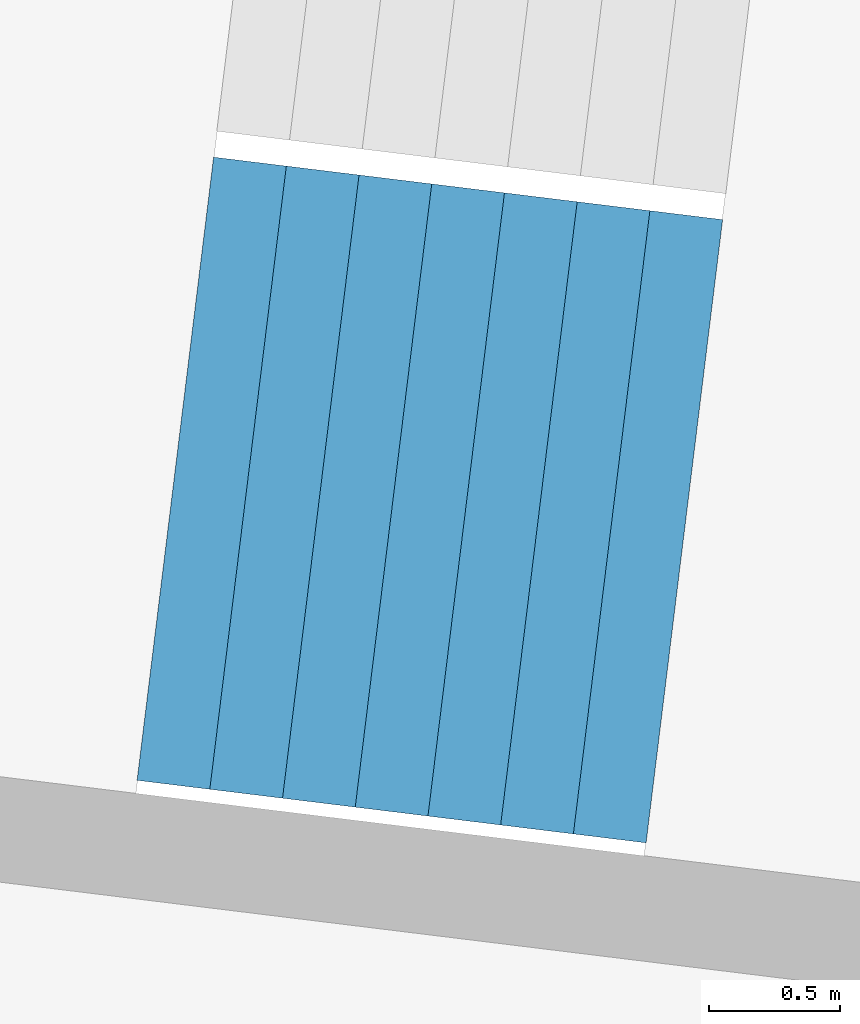
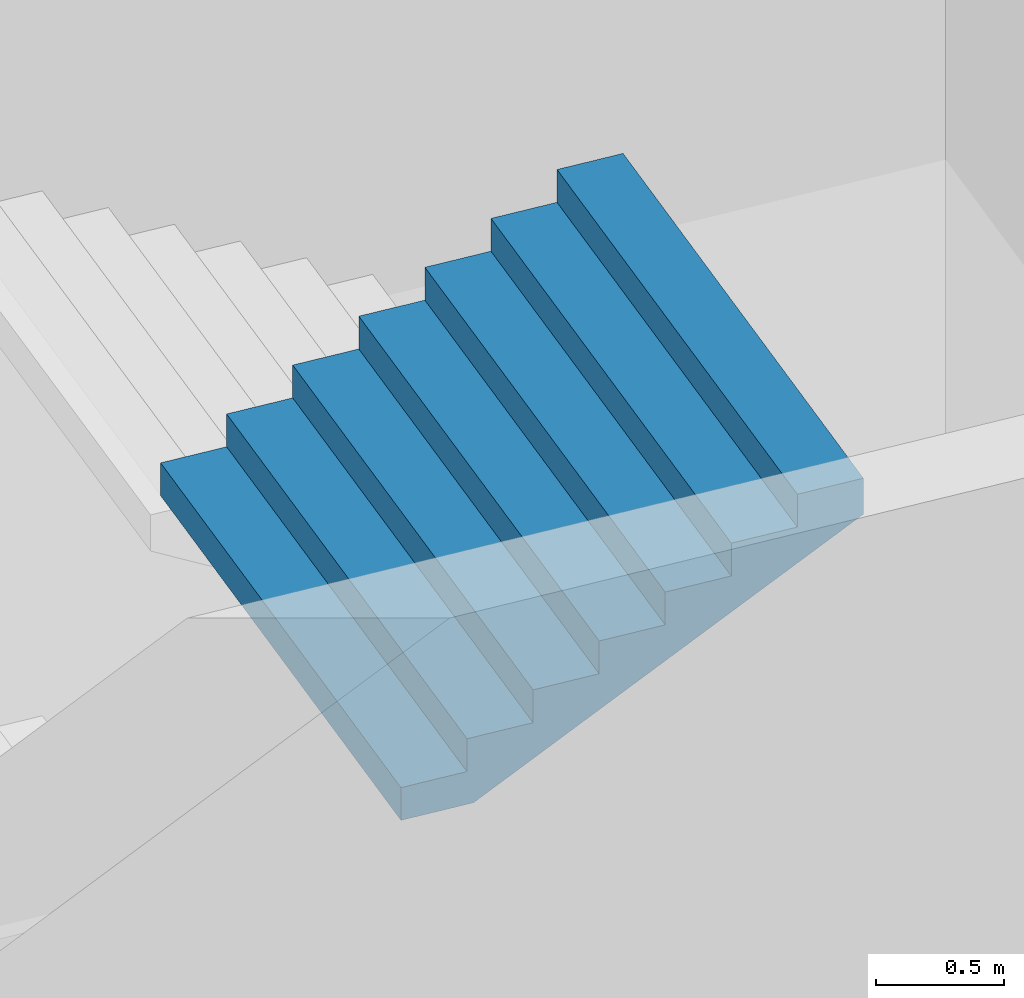
# One storey, part 28 of 73: 1 stair flight, 1 element without a shape of its own.
"""IFC4 building model written with IfcOpenShell, lengths in metres."""

from ifc_helpers import new_model, si_unit, direction, frame, origin, place, context, subcontext, project, spatial, triangles, material, type_object, element, aggregate, save


model = new_model("IFC4")

# Units and contexts
model_context = context("Model", 3, precision=1e-05, world=origin(), true_north=direction((0.0, 1.0)))
body_context = subcontext(model_context, "Body", "Model", "MODEL_VIEW")
ifc_project = project(units=[si_unit("LENGTHUNIT", "METRE"), si_unit("AREAUNIT", "SQUARE_METRE"), si_unit("VOLUMEUNIT", "CUBIC_METRE"), si_unit("PLANEANGLEUNIT", "RADIAN"), si_unit("MASSUNIT", "GRAM", prefix="KILO")], contexts=[model_context])

# Site, building, storey
site_placement = place(None, origin())
site = spatial("IfcSite", under=ifc_project, at=site_placement, CompositionType="ELEMENT")
building_placement = place(site_placement, origin())
building = spatial("IfcBuilding", under=site, at=building_placement, Name="Lantaw Convention Tower", CompositionType="ELEMENT")
storey_placement = place(building_placement, frame((0.0, 0.0, 22.0)))
storey = spatial("IfcBuildingStorey", under=building, at=storey_placement, Name="L03", CompositionType="ELEMENT", Elevation=22.0)

# Stair, stair flight
ifc_material = material(Name="Concrete C35/45", Category="concrete")
stair_type = type_object("IfcStairType", Name="Exit stair 2400 riser 156.25 in 4 flights", PredefinedType="HALF_TURN_STAIR", material=ifc_material)
stair_placement = place(storey_placement, origin())
stair = element("IfcStair", 1, at=stair_placement, inside=storey, type_object=stair_type, Name="Podium exit stair P9 L03", PredefinedType="HALF_TURN_STAIR")
stair_flight_type = type_object("IfcStairFlightType", Name="Stair flight 2400 riser 156.25", PredefinedType="STRAIGHT", material=ifc_material)
stair_flight_placement = place(storey_placement, frame((-40.2216796875, 3.67919921875, 3.75), z_axis=(0.0, 0.0, 1.0), x_axis=(0.992546151641, -0.121869343405, 0.0)))
stair_flight = element("IfcStairFlight", 2, at=stair_flight_placement, type_object=stair_flight_type, Name="P9 flight 4", NumberOfRisers=8, NumberOfTreads=7, PredefinedType="STRAIGHT", RiserHeight=0.15625, TreadLength=0.28, context=body_context, shape_type="Tessellation", body=[
    triangles([(0.0, 1.199951171875, 0.0), (0.0, 1.199951171875, 0.15625), (0.28, 1.199951171875, 0.0), (0.28, 1.199951171875, 0.15625), (0.28, 1.199951171875, 0.3125), (0.3076200632058044, 1.199951171875, 0.0), (0.3076200632058044, 1.199951171875, 0.3125), (0.56, 1.199951171875, 0.14083701830033238), (0.56, 1.199951171875, 0.3125), (0.56, 1.199951171875, 0.46875), (0.8400000000000001, 1.199951171875, 0.29708701830033235), (0.8400000000000001, 1.199951171875, 0.46875), (0.8400000000000001, 1.199951171875, 0.625), (1.12, 1.199951171875, 0.45333701830033235), (1.12, 1.199951171875, 0.625), (1.12, 1.199951171875, 0.78125), (1.4000000000000001, 1.199951171875, 0.6095870183003324), (1.4000000000000001, 1.199951171875, 0.78125), (1.4000000000000001, 1.199951171875, 0.9375), (1.6800000000000002, 1.199951171875, 0.7658370183003324), (1.6800000000000002, 1.199951171875, 0.9375), (1.6800000000000002, 1.199951171875, 1.09375), (1.9600000000000002, 1.199951171875, 0.9220870183003324), (1.9600000000000002, 1.199951171875, 1.09375), (0.0, -1.199951171875, 0.0), (0.0, -1.199951171875, 0.15625), (0.28, -1.199951171875, 0.0), (0.28, -1.199951171875, 0.15625), (0.28, -1.199951171875, 0.3125), (0.3076200632058044, -1.199951171875, 0.0), (0.3076200632058044, -1.199951171875, 0.3125), (0.56, -1.199951171875, 0.14083701830033238), (0.56, -1.199951171875, 0.3125), (0.56, -1.199951171875, 0.46875), (0.8400000000000001, -1.199951171875, 0.29708701830033235), (0.8400000000000001, -1.199951171875, 0.46875), (0.8400000000000001, -1.199951171875, 0.625), (1.12, -1.199951171875, 0.45333701830033235), (1.12, -1.199951171875, 0.625), (1.12, -1.199951171875, 0.78125), (1.4000000000000001, -1.199951171875, 0.6095870183003324), (1.4000000000000001, -1.199951171875, 0.78125), (1.4000000000000001, -1.199951171875, 0.9375), (1.6800000000000002, -1.199951171875, 0.7658370183003324), (1.6800000000000002, -1.199951171875, 0.9375), (1.6800000000000002, -1.199951171875, 1.09375), (1.9600000000000002, -1.199951171875, 0.9220870183003324), (1.9600000000000002, -1.199951171875, 1.09375), (0.0, 0.239990234375, 0.15625), (0.0, 0.239990234375, 0.0), (0.0, 0.1919921875, 0.15625), (0.0, 0.1919921875, 0.0), (0.0, 0.143994140625, 0.15625), (0.0, 0.143994140625, 0.0), (0.0, 0.09599609375, 0.15625), (0.0, 0.09599609375, 0.0), (0.0, 0.047998046875, 0.15625), (0.0, 0.047998046875, 0.0), (0.0, 0.0, 0.15625), (0.0, 0.0, 0.0), (0.0, -0.047998046875, 0.15625), (0.0, -0.047998046875, 0.0), (0.0, -0.09599609375, 0.15625), (0.0, -0.09599609375, 0.0), (0.0, -0.143994140625, 0.15625), (0.0, -0.143994140625, 0.0), (0.0, -0.1919921875, 0.15625), (0.0, -0.1919921875, 0.0), (0.0, -0.239990234375, 0.15625), (0.0, -0.239990234375, 0.0), (0.28, 0.239990234375, 0.3125), (0.28, 0.239990234375, 0.15625), (0.28, 0.1919921875, 0.3125), (0.28, 0.1919921875, 0.15625), (0.28, 0.143994140625, 0.3125), (0.28, 0.143994140625, 0.15625), (0.28, 0.09599609375, 0.3125), (0.28, 0.09599609375, 0.15625), (0.28, 0.047998046875, 0.3125), (0.28, 0.047998046875, 0.15625), (0.28, 0.0, 0.3125), (0.28, 0.0, 0.15625), (0.28, -0.047998046875, 0.3125), (0.28, -0.047998046875, 0.15625), (0.28, -0.09599609375, 0.3125), (0.28, -0.09599609375, 0.15625), (0.28, -0.143994140625, 0.3125), (0.28, -0.143994140625, 0.15625), (0.28, -0.1919921875, 0.3125), (0.28, -0.1919921875, 0.15625), (0.28, -0.239990234375, 0.3125), (0.28, -0.239990234375, 0.15625), (0.56, 0.239990234375, 0.46875), (0.56, 0.239990234375, 0.3125), (0.56, 0.1919921875, 0.46875), (0.56, 0.1919921875, 0.3125), (0.56, 0.143994140625, 0.46875), (0.56, 0.143994140625, 0.3125), (0.56, 0.09599609375, 0.46875), (0.56, 0.09599609375, 0.3125), (0.56, 0.047998046875, 0.46875), (0.56, 0.047998046875, 0.3125), (0.56, 0.0, 0.46875), (0.56, 0.0, 0.3125), (0.56, -0.047998046875, 0.46875), (0.56, -0.047998046875, 0.3125), (0.56, -0.09599609375, 0.46875), (0.56, -0.09599609375, 0.3125), (0.56, -0.143994140625, 0.46875), (0.56, -0.143994140625, 0.3125), (0.56, -0.1919921875, 0.46875), (0.56, -0.1919921875, 0.3125), (0.56, -0.239990234375, 0.46875), (0.56, -0.239990234375, 0.3125), (0.8400000000000001, 0.239990234375, 0.625), (0.8400000000000001, 0.239990234375, 0.46875), (0.8400000000000001, 0.1919921875, 0.625), (0.8400000000000001, 0.1919921875, 0.46875), (0.8400000000000001, 0.143994140625, 0.625), (0.8400000000000001, 0.143994140625, 0.46875), (0.8400000000000001, 0.09599609375, 0.625), (0.8400000000000001, 0.09599609375, 0.46875), (0.8400000000000001, 0.047998046875, 0.625), (0.8400000000000001, 0.047998046875, 0.46875), (0.8400000000000001, 0.0, 0.625), (0.8400000000000001, 0.0, 0.46875), (0.8400000000000001, -0.047998046875, 0.625), (0.8400000000000001, -0.047998046875, 0.46875), (0.8400000000000001, -0.09599609375, 0.625), (0.8400000000000001, -0.09599609375, 0.46875), (0.8400000000000001, -0.143994140625, 0.625), (0.8400000000000001, -0.143994140625, 0.46875), (0.8400000000000001, -0.1919921875, 0.625), (0.8400000000000001, -0.1919921875, 0.46875), (0.8400000000000001, -0.239990234375, 0.625), (0.8400000000000001, -0.239990234375, 0.46875), (1.12, 0.239990234375, 0.78125), (1.12, 0.239990234375, 0.625), (1.12, 0.1919921875, 0.78125), (1.12, 0.1919921875, 0.625), (1.12, 0.143994140625, 0.78125), (1.12, 0.143994140625, 0.625), (1.12, 0.09599609375, 0.78125), (1.12, 0.09599609375, 0.625), (1.12, 0.047998046875, 0.78125), (1.12, 0.047998046875, 0.625), (1.12, 0.0, 0.78125), (1.12, 0.0, 0.625), (1.12, -0.047998046875, 0.78125), (1.12, -0.047998046875, 0.625), (1.12, -0.09599609375, 0.78125), (1.12, -0.09599609375, 0.625), (1.12, -0.143994140625, 0.78125), (1.12, -0.143994140625, 0.625), (1.12, -0.1919921875, 0.78125), (1.12, -0.1919921875, 0.625), (1.12, -0.239990234375, 0.78125), (1.12, -0.239990234375, 0.625), (1.4000000000000001, 0.239990234375, 0.9375), (1.4000000000000001, 0.239990234375, 0.78125), (1.4000000000000001, 0.1919921875, 0.9375), (1.4000000000000001, 0.1919921875, 0.78125), (1.4000000000000001, 0.143994140625, 0.9375), (1.4000000000000001, 0.143994140625, 0.78125), (1.4000000000000001, 0.09599609375, 0.9375), (1.4000000000000001, 0.09599609375, 0.78125), (1.4000000000000001, 0.047998046875, 0.9375), (1.4000000000000001, 0.047998046875, 0.78125), (1.4000000000000001, 0.0, 0.9375), (1.4000000000000001, 0.0, 0.78125), (1.4000000000000001, -0.047998046875, 0.9375), (1.4000000000000001, -0.047998046875, 0.78125), (1.4000000000000001, -0.09599609375, 0.9375), (1.4000000000000001, -0.09599609375, 0.78125), (1.4000000000000001, -0.143994140625, 0.9375), (1.4000000000000001, -0.143994140625, 0.78125), (1.4000000000000001, -0.1919921875, 0.9375), (1.4000000000000001, -0.1919921875, 0.78125), (1.4000000000000001, -0.239990234375, 0.9375), (1.4000000000000001, -0.239990234375, 0.78125), (1.6800000000000002, 0.239990234375, 1.09375), (1.6800000000000002, 0.239990234375, 0.9375), (1.6800000000000002, 0.1919921875, 1.09375), (1.6800000000000002, 0.1919921875, 0.9375), (1.6800000000000002, 0.143994140625, 1.09375), (1.6800000000000002, 0.143994140625, 0.9375), (1.6800000000000002, 0.09599609375, 1.09375), (1.6800000000000002, 0.09599609375, 0.9375), (1.6800000000000002, 0.047998046875, 1.09375), (1.6800000000000002, 0.047998046875, 0.9375), (1.6800000000000002, 0.0, 1.09375), (1.6800000000000002, 0.0, 0.9375), (1.6800000000000002, -0.047998046875, 1.09375), (1.6800000000000002, -0.047998046875, 0.9375), (1.6800000000000002, -0.09599609375, 1.09375), (1.6800000000000002, -0.09599609375, 0.9375), (1.6800000000000002, -0.143994140625, 1.09375), (1.6800000000000002, -0.143994140625, 0.9375), (1.6800000000000002, -0.1919921875, 1.09375), (1.6800000000000002, -0.1919921875, 0.9375), (1.6800000000000002, -0.239990234375, 1.09375), (1.6800000000000002, -0.239990234375, 0.9375), (0.3076200632058044, 0.239990234375, 0.3125), (0.3076200632058044, 0.1919921875, 0.3125), (0.3076200632058044, 0.143994140625, 0.3125), (0.3076200632058044, 0.09599609375, 0.3125), (0.3076200632058044, 0.047998046875, 0.3125), (0.3076200632058044, 0.0, 0.3125), (0.3076200632058044, -0.047998046875, 0.3125), (0.3076200632058044, -0.09599609375, 0.3125), (0.3076200632058044, -0.143994140625, 0.3125), (0.3076200632058044, -0.1919921875, 0.3125), (0.3076200632058044, -0.239990234375, 0.3125), (1.9600000000000002, 0.239990234375, 1.09375), (1.9600000000000002, 0.1919921875, 1.09375), (1.9600000000000002, 0.143994140625, 1.09375), (1.9600000000000002, 0.09599609375, 1.09375), (1.9600000000000002, 0.047998046875, 1.09375), (1.9600000000000002, 0.0, 1.09375), (1.9600000000000002, -0.047998046875, 1.09375), (1.9600000000000002, -0.09599609375, 1.09375), (1.9600000000000002, -0.143994140625, 1.09375), (1.9600000000000002, -0.1919921875, 1.09375), (1.9600000000000002, -0.239990234375, 1.09375), (1.9600000000000002, 0.239990234375, 0.9220870183003324), (1.9600000000000002, 0.1919921875, 0.9220870183003324), (1.9600000000000002, 0.143994140625, 0.9220870183003324), (1.9600000000000002, 0.09599609375, 0.9220870183003324), (1.9600000000000002, 0.047998046875, 0.9220870183003324), (1.9600000000000002, 0.0, 0.9220870183003324), (1.9600000000000002, -0.047998046875, 0.9220870183003324), (1.9600000000000002, -0.09599609375, 0.9220870183003324), (1.9600000000000002, -0.143994140625, 0.9220870183003324), (1.9600000000000002, -0.1919921875, 0.9220870183003324), (1.9600000000000002, -0.239990234375, 0.9220870183003324), (1.6800000000000002, 0.239990234375, 0.7658370183003324), (1.6800000000000002, 0.1919921875, 0.7658370183003324), (1.6800000000000002, 0.143994140625, 0.7658370183003324), (1.6800000000000002, 0.09599609375, 0.7658370183003324), (1.6800000000000002, 0.047998046875, 0.7658370183003324), (1.6800000000000002, 0.0, 0.7658370183003324), (1.6800000000000002, -0.047998046875, 0.7658370183003324), (1.6800000000000002, -0.09599609375, 0.7658370183003324), (1.6800000000000002, -0.143994140625, 0.7658370183003324), (1.6800000000000002, -0.1919921875, 0.7658370183003324), (1.6800000000000002, -0.239990234375, 0.7658370183003324), (1.4000000000000001, 0.239990234375, 0.6095870183003324), (1.4000000000000001, 0.1919921875, 0.6095870183003324), (1.4000000000000001, 0.143994140625, 0.6095870183003324), (1.4000000000000001, 0.09599609375, 0.6095870183003324), (1.4000000000000001, 0.047998046875, 0.6095870183003324), (1.4000000000000001, 0.0, 0.6095870183003324), (1.4000000000000001, -0.047998046875, 0.6095870183003324), (1.4000000000000001, -0.09599609375, 0.6095870183003324), (1.4000000000000001, -0.143994140625, 0.6095870183003324), (1.4000000000000001, -0.1919921875, 0.6095870183003324), (1.4000000000000001, -0.239990234375, 0.6095870183003324), (1.12, 0.239990234375, 0.45333701830033235), (1.12, 0.1919921875, 0.45333701830033235), (1.12, 0.143994140625, 0.45333701830033235), (1.12, 0.09599609375, 0.45333701830033235), (1.12, 0.047998046875, 0.45333701830033235), (1.12, 0.0, 0.45333701830033235), (1.12, -0.047998046875, 0.45333701830033235), (1.12, -0.09599609375, 0.45333701830033235), (1.12, -0.143994140625, 0.45333701830033235), (1.12, -0.1919921875, 0.45333701830033235), (1.12, -0.239990234375, 0.45333701830033235), (0.8400000000000001, 0.239990234375, 0.29708701830033235), (0.8400000000000001, 0.1919921875, 0.29708701830033235), (0.8400000000000001, 0.143994140625, 0.29708701830033235), (0.8400000000000001, 0.09599609375, 0.29708701830033235), (0.8400000000000001, 0.047998046875, 0.29708701830033235), (0.8400000000000001, 0.0, 0.29708701830033235), (0.8400000000000001, -0.047998046875, 0.29708701830033235), (0.8400000000000001, -0.09599609375, 0.29708701830033235), (0.8400000000000001, -0.143994140625, 0.29708701830033235), (0.8400000000000001, -0.1919921875, 0.29708701830033235), (0.8400000000000001, -0.239990234375, 0.29708701830033235), (0.56, 0.239990234375, 0.14083701830033238), (0.56, 0.1919921875, 0.14083701830033238), (0.56, 0.143994140625, 0.14083701830033238), (0.56, 0.09599609375, 0.14083701830033238), (0.56, 0.047998046875, 0.14083701830033238), (0.56, 0.0, 0.14083701830033238), (0.56, -0.047998046875, 0.14083701830033238), (0.56, -0.09599609375, 0.14083701830033238), (0.56, -0.143994140625, 0.14083701830033238), (0.56, -0.1919921875, 0.14083701830033238), (0.56, -0.239990234375, 0.14083701830033238), (0.3076200632058044, 0.239990234375, 0.0), (0.3076200632058044, 0.1919921875, 0.0), (0.3076200632058044, 0.143994140625, 0.0), (0.3076200632058044, 0.09599609375, 0.0), (0.3076200632058044, 0.047998046875, 0.0), (0.3076200632058044, 0.0, 0.0), (0.3076200632058044, -0.047998046875, 0.0), (0.3076200632058044, -0.09599609375, 0.0), (0.3076200632058044, -0.143994140625, 0.0), (0.3076200632058044, -0.1919921875, 0.0), (0.3076200632058044, -0.239990234375, 0.0), (0.28, 0.239990234375, 0.0), (0.28, 0.1919921875, 0.0), (0.28, 0.143994140625, 0.0), (0.28, 0.09599609375, 0.0), (0.28, 0.047998046875, 0.0), (0.28, 0.0, 0.0), (0.28, -0.047998046875, 0.0), (0.28, -0.09599609375, 0.0), (0.28, -0.143994140625, 0.0), (0.28, -0.1919921875, 0.0), (0.28, -0.239990234375, 0.0)], [[1, 4, 3], [1, 2, 4], [3, 4, 6], [4, 7, 6], [4, 5, 7], [6, 9, 8], [6, 7, 9], [8, 9, 11], [9, 12, 11], [9, 10, 12], [11, 12, 14], [12, 15, 14], [12, 13, 15], [14, 15, 17], [15, 18, 17], [15, 16, 18], [17, 18, 20], [18, 21, 20], [18, 19, 21], [20, 21, 23], [21, 24, 23], [21, 22, 24], [25, 27, 28], [25, 28, 26], [27, 30, 28], [28, 30, 31], [28, 31, 29], [30, 32, 33], [30, 33, 31], [32, 35, 33], [33, 35, 36], [33, 36, 34], [35, 38, 36], [36, 38, 39], [36, 39, 37], [38, 41, 39], [39, 41, 42], [39, 42, 40], [41, 44, 42], [42, 44, 45], [42, 45, 43], [44, 47, 45], [45, 47, 48], [45, 48, 46], [1, 49, 2], [1, 50, 49], [50, 51, 49], [50, 52, 51], [52, 53, 51], [52, 54, 53], [54, 55, 53], [54, 56, 55], [56, 57, 55], [56, 58, 57], [58, 59, 57], [58, 60, 59], [60, 61, 59], [60, 62, 61], [62, 63, 61], [62, 64, 63], [64, 65, 63], [64, 66, 65], [66, 67, 65], [66, 68, 67], [68, 69, 67], [68, 70, 69], [70, 26, 69], [70, 25, 26], [4, 71, 5], [4, 72, 71], [72, 73, 71], [72, 74, 73], [74, 75, 73], [74, 76, 75], [76, 77, 75], [76, 78, 77], [78, 79, 77], [78, 80, 79], [80, 81, 79], [80, 82, 81], [82, 83, 81], [82, 84, 83], [84, 85, 83], [84, 86, 85], [86, 87, 85], [86, 88, 87], [88, 89, 87], [88, 90, 89], [90, 91, 89], [90, 92, 91], [92, 29, 91], [92, 28, 29], [9, 93, 10], [9, 94, 93], [94, 95, 93], [94, 96, 95], [96, 97, 95], [96, 98, 97], [98, 99, 97], [98, 100, 99], [100, 101, 99], [100, 102, 101], [102, 103, 101], [102, 104, 103], [104, 105, 103], [104, 106, 105], [106, 107, 105], [106, 108, 107], [108, 109, 107], [108, 110, 109], [110, 111, 109], [110, 112, 111], [112, 113, 111], [112, 114, 113], [114, 34, 113], [114, 33, 34], [12, 115, 13], [12, 116, 115], [116, 117, 115], [116, 118, 117], [118, 119, 117], [118, 120, 119], [120, 121, 119], [120, 122, 121], [122, 123, 121], [122, 124, 123], [124, 125, 123], [124, 126, 125], [126, 127, 125], [126, 128, 127], [128, 129, 127], [128, 130, 129], [130, 131, 129], [130, 132, 131], [132, 133, 131], [132, 134, 133], [134, 135, 133], [134, 136, 135], [136, 37, 135], [136, 36, 37], [15, 137, 16], [15, 138, 137], [138, 139, 137], [138, 140, 139], [140, 141, 139], [140, 142, 141], [142, 143, 141], [142, 144, 143], [144, 145, 143], [144, 146, 145], [146, 147, 145], [146, 148, 147], [148, 149, 147], [148, 150, 149], [150, 151, 149], [150, 152, 151], [152, 153, 151], [152, 154, 153], [154, 155, 153], [154, 156, 155], [156, 157, 155], [156, 158, 157], [158, 40, 157], [158, 39, 40], [18, 159, 19], [18, 160, 159], [160, 161, 159], [160, 162, 161], [162, 163, 161], [162, 164, 163], [164, 165, 163], [164, 166, 165], [166, 167, 165], [166, 168, 167], [168, 169, 167], [168, 170, 169], [170, 171, 169], [170, 172, 171], [172, 173, 171], [172, 174, 173], [174, 175, 173], [174, 176, 175], [176, 177, 175], [176, 178, 177], [178, 179, 177], [178, 180, 179], [180, 43, 179], [180, 42, 43], [21, 181, 22], [21, 182, 181], [182, 183, 181], [182, 184, 183], [184, 185, 183], [184, 186, 185], [186, 187, 185], [186, 188, 187], [188, 189, 187], [188, 190, 189], [190, 191, 189], [190, 192, 191], [192, 193, 191], [192, 194, 193], [194, 195, 193], [194, 196, 195], [196, 197, 195], [196, 198, 197], [198, 199, 197], [198, 200, 199], [200, 201, 199], [200, 202, 201], [202, 46, 201], [202, 45, 46], [2, 72, 4], [2, 49, 72], [49, 74, 72], [49, 51, 74], [51, 76, 74], [51, 53, 76], [53, 78, 76], [53, 55, 78], [55, 80, 78], [55, 57, 80], [57, 82, 80], [57, 59, 82], [59, 84, 82], [59, 61, 84], [61, 86, 84], [61, 63, 86], [63, 88, 86], [63, 65, 88], [65, 90, 88], [65, 67, 90], [67, 92, 90], [67, 69, 92], [69, 28, 92], [69, 26, 28], [5, 203, 7], [5, 71, 203], [71, 204, 203], [71, 73, 204], [73, 205, 204], [73, 75, 205], [75, 206, 205], [75, 77, 206], [77, 207, 206], [77, 79, 207], [79, 208, 207], [79, 81, 208], [81, 209, 208], [81, 83, 209], [83, 210, 209], [83, 85, 210], [85, 211, 210], [85, 87, 211], [87, 212, 211], [87, 89, 212], [89, 213, 212], [89, 91, 213], [91, 31, 213], [91, 29, 31], [7, 94, 9], [7, 203, 94], [203, 96, 94], [203, 204, 96], [204, 98, 96], [204, 205, 98], [205, 100, 98], [205, 206, 100], [206, 102, 100], [206, 207, 102], [207, 104, 102], [207, 208, 104], [208, 106, 104], [208, 209, 106], [209, 108, 106], [209, 210, 108], [210, 110, 108], [210, 211, 110], [211, 112, 110], [211, 212, 112], [212, 114, 112], [212, 213, 114], [213, 33, 114], [213, 31, 33], [10, 116, 12], [10, 93, 116], [93, 118, 116], [93, 95, 118], [95, 120, 118], [95, 97, 120], [97, 122, 120], [97, 99, 122], [99, 124, 122], [99, 101, 124], [101, 126, 124], [101, 103, 126], [103, 128, 126], [103, 105, 128], [105, 130, 128], [105, 107, 130], [107, 132, 130], [107, 109, 132], [109, 134, 132], [109, 111, 134], [111, 136, 134], [111, 113, 136], [113, 36, 136], [113, 34, 36], [13, 138, 15], [13, 115, 138], [115, 140, 138], [115, 117, 140], [117, 142, 140], [117, 119, 142], [119, 144, 142], [119, 121, 144], [121, 146, 144], [121, 123, 146], [123, 148, 146], [123, 125, 148], [125, 150, 148], [125, 127, 150], [127, 152, 150], [127, 129, 152], [129, 154, 152], [129, 131, 154], [131, 156, 154], [131, 133, 156], [133, 158, 156], [133, 135, 158], [135, 39, 158], [135, 37, 39], [16, 160, 18], [16, 137, 160], [137, 162, 160], [137, 139, 162], [139, 164, 162], [139, 141, 164], [141, 166, 164], [141, 143, 166], [143, 168, 166], [143, 145, 168], [145, 170, 168], [145, 147, 170], [147, 172, 170], [147, 149, 172], [149, 174, 172], [149, 151, 174], [151, 176, 174], [151, 153, 176], [153, 178, 176], [153, 155, 178], [155, 180, 178], [155, 157, 180], [157, 42, 180], [157, 40, 42], [19, 182, 21], [19, 159, 182], [159, 184, 182], [159, 161, 184], [161, 186, 184], [161, 163, 186], [163, 188, 186], [163, 165, 188], [165, 190, 188], [165, 167, 190], [167, 192, 190], [167, 169, 192], [169, 194, 192], [169, 171, 194], [171, 196, 194], [171, 173, 196], [173, 198, 196], [173, 175, 198], [175, 200, 198], [175, 177, 200], [177, 202, 200], [177, 179, 202], [179, 45, 202], [179, 43, 45], [22, 214, 24], [22, 181, 214], [181, 215, 214], [181, 183, 215], [183, 216, 215], [183, 185, 216], [185, 217, 216], [185, 187, 217], [187, 218, 217], [187, 189, 218], [189, 219, 218], [189, 191, 219], [191, 220, 219], [191, 193, 220], [193, 221, 220], [193, 195, 221], [195, 222, 221], [195, 197, 222], [197, 223, 222], [197, 199, 223], [199, 224, 223], [199, 201, 224], [201, 48, 224], [201, 46, 48], [24, 225, 23], [24, 214, 225], [214, 226, 225], [214, 215, 226], [215, 227, 226], [215, 216, 227], [216, 228, 227], [216, 217, 228], [217, 229, 228], [217, 218, 229], [218, 230, 229], [218, 219, 230], [219, 231, 230], [219, 220, 231], [220, 232, 231], [220, 221, 232], [221, 233, 232], [221, 222, 233], [222, 234, 233], [222, 223, 234], [223, 235, 234], [223, 224, 235], [224, 47, 235], [224, 48, 47], [23, 236, 20], [23, 225, 236], [225, 237, 236], [225, 226, 237], [226, 238, 237], [226, 227, 238], [227, 239, 238], [227, 228, 239], [228, 240, 239], [228, 229, 240], [229, 241, 240], [229, 230, 241], [230, 242, 241], [230, 231, 242], [231, 243, 242], [231, 232, 243], [232, 244, 243], [232, 233, 244], [233, 245, 244], [233, 234, 245], [234, 246, 245], [234, 235, 246], [235, 44, 246], [235, 47, 44], [20, 247, 17], [20, 236, 247], [236, 248, 247], [236, 237, 248], [237, 249, 248], [237, 238, 249], [238, 250, 249], [238, 239, 250], [239, 251, 250], [239, 240, 251], [240, 252, 251], [240, 241, 252], [241, 253, 252], [241, 242, 253], [242, 254, 253], [242, 243, 254], [243, 255, 254], [243, 244, 255], [244, 256, 255], [244, 245, 256], [245, 257, 256], [245, 246, 257], [246, 41, 257], [246, 44, 41], [17, 258, 14], [17, 247, 258], [247, 259, 258], [247, 248, 259], [248, 260, 259], [248, 249, 260], [249, 261, 260], [249, 250, 261], [250, 262, 261], [250, 251, 262], [251, 263, 262], [251, 252, 263], [252, 264, 263], [252, 253, 264], [253, 265, 264], [253, 254, 265], [254, 266, 265], [254, 255, 266], [255, 267, 266], [255, 256, 267], [256, 268, 267], [256, 257, 268], [257, 38, 268], [257, 41, 38], [14, 269, 11], [14, 258, 269], [258, 270, 269], [258, 259, 270], [259, 271, 270], [259, 260, 271], [260, 272, 271], [260, 261, 272], [261, 273, 272], [261, 262, 273], [262, 274, 273], [262, 263, 274], [263, 275, 274], [263, 264, 275], [264, 276, 275], [264, 265, 276], [265, 277, 276], [265, 266, 277], [266, 278, 277], [266, 267, 278], [267, 279, 278], [267, 268, 279], [268, 35, 279], [268, 38, 35], [11, 280, 8], [11, 269, 280], [269, 281, 280], [269, 270, 281], [270, 282, 281], [270, 271, 282], [271, 283, 282], [271, 272, 283], [272, 284, 283], [272, 273, 284], [273, 285, 284], [273, 274, 285], [274, 286, 285], [274, 275, 286], [275, 287, 286], [275, 276, 287], [276, 288, 287], [276, 277, 288], [277, 289, 288], [277, 278, 289], [278, 290, 289], [278, 279, 290], [279, 32, 290], [279, 35, 32], [8, 291, 6], [8, 280, 291], [280, 292, 291], [280, 281, 292], [281, 293, 292], [281, 282, 293], [282, 294, 293], [282, 283, 294], [283, 295, 294], [283, 284, 295], [284, 296, 295], [284, 285, 296], [285, 297, 296], [285, 286, 297], [286, 298, 297], [286, 287, 298], [287, 299, 298], [287, 288, 299], [288, 300, 299], [288, 289, 300], [289, 301, 300], [289, 290, 301], [290, 30, 301], [290, 32, 30], [6, 302, 3], [6, 291, 302], [291, 303, 302], [291, 292, 303], [292, 304, 303], [292, 293, 304], [293, 305, 304], [293, 294, 305], [294, 306, 305], [294, 295, 306], [295, 307, 306], [295, 296, 307], [296, 308, 307], [296, 297, 308], [297, 309, 308], [297, 298, 309], [298, 310, 309], [298, 299, 310], [299, 311, 310], [299, 300, 311], [300, 312, 311], [300, 301, 312], [301, 27, 312], [301, 30, 27], [3, 50, 1], [3, 302, 50], [302, 52, 50], [302, 303, 52], [303, 54, 52], [303, 304, 54], [304, 56, 54], [304, 305, 56], [305, 58, 56], [305, 306, 58], [306, 60, 58], [306, 307, 60], [307, 62, 60], [307, 308, 62], [308, 64, 62], [308, 309, 64], [309, 66, 64], [309, 310, 66], [310, 68, 66], [310, 311, 68], [311, 70, 68], [311, 312, 70], [312, 25, 70], [312, 27, 25]], closed=True),
])
aggregate(stair, [stair_flight])

save(model, "model.ifc")
